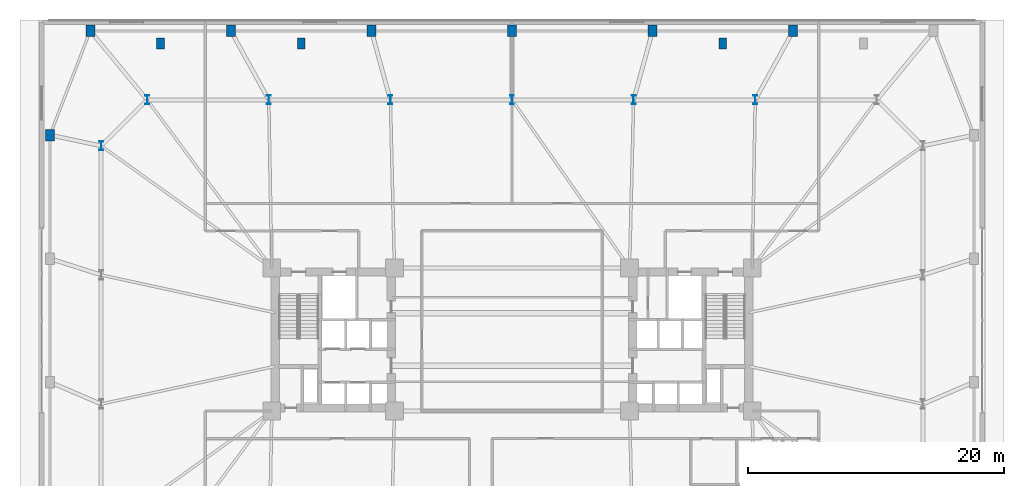
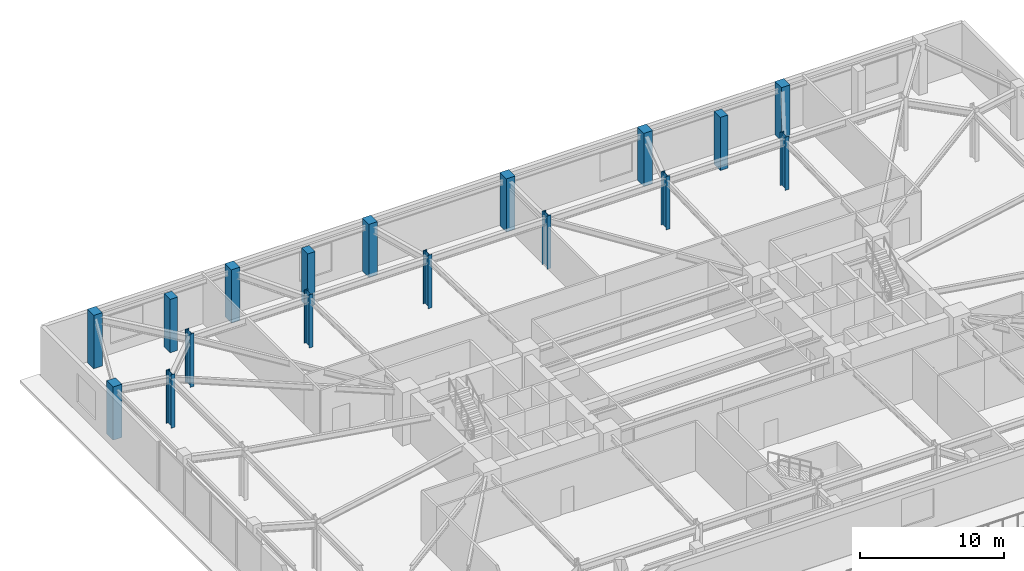
# One storey, part 2 of 21: 17 columns.
"""IFC4 building model written with IfcOpenShell, lengths in metres."""

from ifc_helpers import new_model, si_unit, direction, frame, origin, origin_2d, place, context, subcontext, project, spatial, rectangle, i_section, extrude, material, material_profile, profile_set, type_object, element, save


model = new_model("IFC4")

# Units and contexts
model_context = context("Model", 3, precision=1e-05, world=origin(), true_north=direction((0.0, 1.0)))
body_context = subcontext(model_context, "Body", "Model", "MODEL_VIEW")
ifc_project = project(units=[si_unit("LENGTHUNIT", "METRE"), si_unit("AREAUNIT", "SQUARE_METRE"), si_unit("VOLUMEUNIT", "CUBIC_METRE"), si_unit("PLANEANGLEUNIT", "RADIAN"), si_unit("MASSUNIT", "GRAM", prefix="KILO")], contexts=[model_context])

# Site, building, storey
site_placement = place(None, origin())
site = spatial("IfcSite", under=ifc_project, at=site_placement, CompositionType="ELEMENT")
building_placement = place(site_placement, origin())
building = spatial("IfcBuilding", under=site, at=building_placement, Name="Qobustan Lattice House", CompositionType="ELEMENT")
storey_placement = place(building_placement, frame((0.0, 0.0, 13.5)))
storey = spatial("IfcBuildingStorey", under=building, at=storey_placement, Name="L03", CompositionType="ELEMENT", Elevation=13.5)

# Columns
ifc_material_1 = material(Name="Concrete C50/60", Category="concrete")
ifc_material_profile_1 = material_profile(ifc_material_1, rectangle(XDim=0.60009765625, YDim=0.85009765625, at=origin_2d()), Name="RC600x850")
ifc_profile_set_1 = profile_set([ifc_material_profile_1], Name="Concrete C50/60")
column_type_1 = type_object("IfcColumnType", Name="COL-PIL-600x850", PredefinedType="PILASTER", material=ifc_profile_set_1)
for number, where, z_axis, x_axis, name in (
    (1, (-27.5, 23.14990234375, 0.0), (0.0, 0.0, 1.0), (1.0, 0.0, 0.0), "L03 colonnade pilaster N1"),
    (2, (-16.5, 23.14990234375, 0.0), (0.0, 0.0, 1.0), (1.0, 0.0, 0.0), "L03 colonnade pilaster N2"),
    (3, (16.5, 23.14990234375, 0.0), (0.0, 0.0, 1.0), (1.0, 0.0, 0.0), "L03 colonnade pilaster N3"),
):
    element("IfcColumn", number, at=place(storey_placement, frame(where, z_axis=z_axis, x_axis=x_axis)), inside=storey, type_object=column_type_1, Name=name, PredefinedType="PILASTER", context=body_context, shape_type="SweptSolid", body=[
        extrude(rectangle(XDim=0.60009765625, YDim=0.85009765625, at=origin_2d()), origin(), (0.0, 0.0, 1.0), 4.5),
    ])
ifc_material_2 = material(Name="Concrete C50/60", Category="concrete")
ifc_material_profile_2 = material_profile(ifc_material_2, rectangle(XDim=0.699951171875, YDim=0.89990234375, at=origin_2d()), Name="RC700x900")
ifc_profile_set_2 = profile_set([ifc_material_profile_2], Name="Concrete C50/60")
column_type_2 = type_object("IfcColumnType", Name="COL-RC-700x900", PredefinedType="COLUMN", material=ifc_profile_set_2)
for number, where, z_axis, x_axis, name in (
    (4, (-33.0, 24.14990234375, 0.0), (0.0, 0.0, 1.0), (1.0, 0.0, 0.0), "L03 podium column PN1"),
    (5, (-22.0, 24.14990234375, 0.0), (0.0, 0.0, 1.0), (1.0, 0.0, 0.0), "L03 podium column PN2"),
    (6, (-11.0, 24.14990234375, 0.0), (0.0, 0.0, 1.0), (1.0, 0.0, 0.0), "L03 podium column PN3"),
    (7, (0.0, 24.14990234375, 0.0), (0.0, 0.0, 1.0), (1.0, 0.0, 0.0), "L03 podium column PN4"),
    (8, (11.0, 24.14990234375, 0.0), (0.0, 0.0, 1.0), (1.0, 0.0, 0.0), "L03 podium column PN5"),
    (9, (22.0, 24.14990234375, 0.0), (0.0, 0.0, 1.0), (1.0, 0.0, 0.0), "L03 podium column PN6"),
    (10, (-36.14990234375, 16.0, 0.0), (0.0, 0.0, 1.0), (1.0, 0.0, 0.0), "L03 podium column PW4"),
):
    element("IfcColumn", number, at=place(storey_placement, frame(where, z_axis=z_axis, x_axis=x_axis)), inside=storey, type_object=column_type_2, Name=name, PredefinedType="COLUMN", context=body_context, shape_type="SweptSolid", body=[
        extrude(rectangle(XDim=0.699951171875, YDim=0.89990234375, at=origin_2d()), origin(), (0.0, 0.0, 1.0), 4.5),
    ])
ifc_material_3 = material(Name="Steel S460", Category="steel")
ifc_material_profile_3 = material_profile(ifc_material_3, i_section(OverallWidth=0.303955078125, OverallDepth=0.716064453125, WebThickness=0.02099609375, FlangeThickness=0.0400390625, FilletRadius=0.027099609375, at=origin_2d()), Name="HEM700")
ifc_profile_set_3 = profile_set([ifc_material_profile_3], Name="Steel S460")
column_type_3 = type_object("IfcColumnType", Name="COL-ST-HEM700", PredefinedType="COLUMN", material=ifc_profile_set_3)
for number, where, z_axis, x_axis, name in (
    (11, (19.033203125, 18.75, 0.0), (0.0, 0.0, 1.0), (1.0, 0.0, 0.0), "L03 tower base column N2"),
    (12, (9.5166015625, 18.75, 0.0), (0.0, 0.0, 1.0), (1.0, 0.0, 0.0), "L03 tower base column N3"),
    (13, (0.0, 18.75, 0.0), (0.0, 0.0, 1.0), (1.0, 0.0, 0.0), "L03 tower base column N4"),
    (14, (-9.5166015625, 18.75, 0.0), (0.0, 0.0, 1.0), (1.0, 0.0, 0.0), "L03 tower base column N5"),
    (15, (-19.033203125, 18.75, 0.0), (0.0, 0.0, 1.0), (1.0, 0.0, 0.0), "L03 tower base column N6"),
    (16, (-28.550048828125, 18.75, 0.0), (0.0, 0.0, 1.0), (1.0, 0.0, 0.0), "L03 tower base column N7"),
    (17, (-32.14990234375, 15.14990234375, 0.0), (0.0, 0.0, 1.0), (1.0, 0.0, 0.0), "L03 tower base column W1"),
):
    element("IfcColumn", number, at=place(storey_placement, frame(where, z_axis=z_axis, x_axis=x_axis)), inside=storey, type_object=column_type_3, Name=name, PredefinedType="COLUMN", context=body_context, shape_type="SweptSolid", body=[
        extrude(i_section(OverallWidth=0.303955078125, OverallDepth=0.716064453125, WebThickness=0.02099609375, FlangeThickness=0.0400390625, FilletRadius=0.027099609375, at=origin_2d()), origin(), (0.0, 0.0, 1.0), 4.5),
    ])

save(model, "model.ifc")
